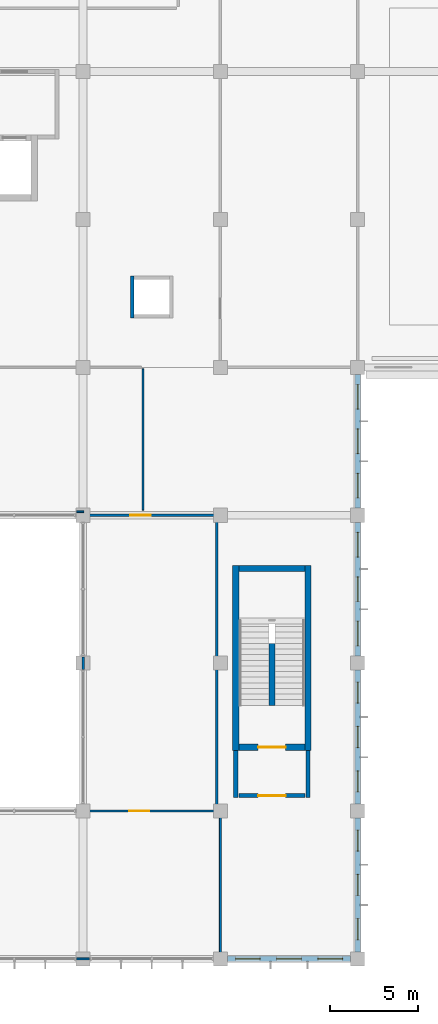
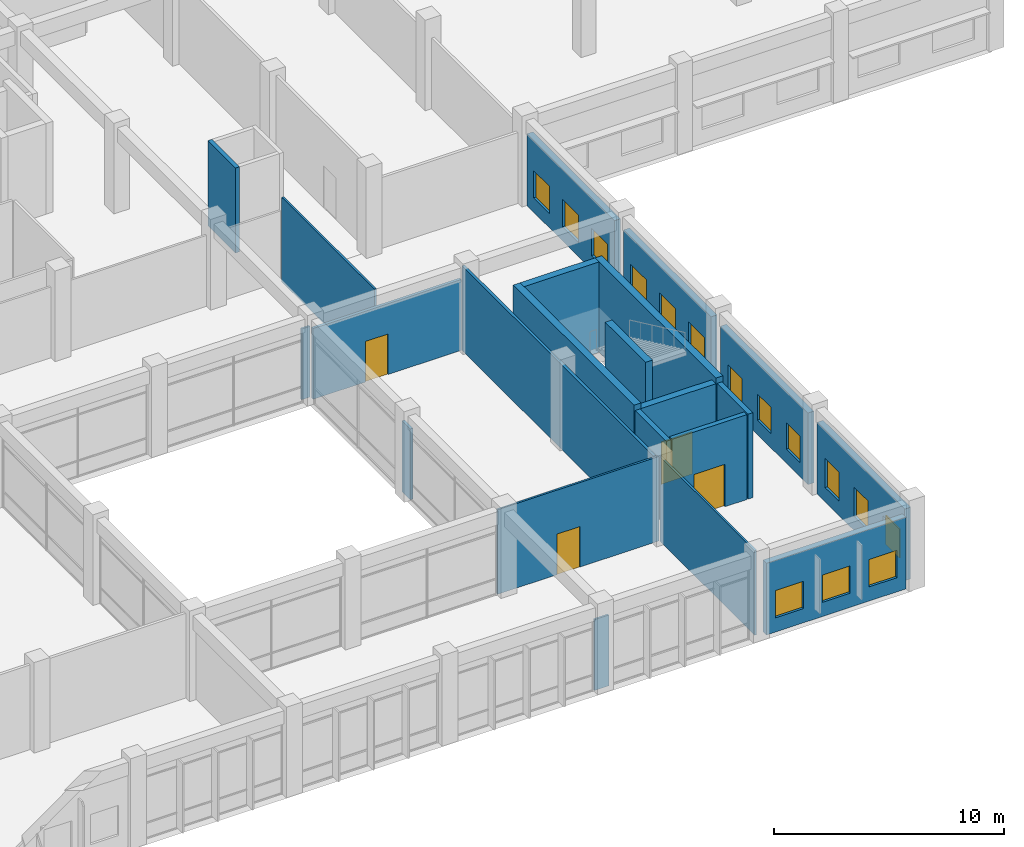
# One storey, part 49 of 62: 22 walls, 15 windows, 4 doors, 19 openings.
"""IFC4 building model written with IfcOpenShell, lengths in metres."""

from ifc_helpers import new_model, si_unit, direction, frame, frame_2d, origin, place, context, subcontext, project, spatial, rectangle, extrude, material, layer, layer_set, type_object, element, fill, save


model = new_model("IFC4")

# Units and contexts
model_context = context("Model", 3, precision=1e-05, world=origin(), true_north=direction((0.0, 1.0)))
body_context = subcontext(model_context, "Body", "Model", "MODEL_VIEW")
ifc_project = project(units=[si_unit("LENGTHUNIT", "METRE"), si_unit("AREAUNIT", "SQUARE_METRE"), si_unit("VOLUMEUNIT", "CUBIC_METRE"), si_unit("PLANEANGLEUNIT", "RADIAN"), si_unit("MASSUNIT", "GRAM", prefix="KILO"), si_unit("THERMODYNAMICTEMPERATUREUNIT", "KELVIN"), si_unit("POWERUNIT", "WATT")], contexts=[model_context])

# Site, building, storey
site_placement = place(None, origin())
site = spatial("IfcSite", under=ifc_project, at=site_placement, CompositionType="ELEMENT")
building_placement = place(site_placement, origin())
building = spatial("IfcBuilding", under=site, at=building_placement, Name="Srebrne Nadtorze General Hospital", CompositionType="ELEMENT")
storey_placement = place(building_placement, frame((0.0, 0.0, 9.60009765625)))
storey = spatial("IfcBuildingStorey", under=building, at=storey_placement, Name="L02", CompositionType="ELEMENT", Elevation=9.60009765625)

# Wall, opening, door
ifc_material_1 = material(Name="Gypsum Healthcare Partition")
ifc_layer_1 = layer(ifc_material_1, 0.139892578125)
ifc_layer_set_1 = layer_set([ifc_layer_1], Name="Gypsum Healthcare Partition")
wall_type_1 = type_object("IfcWallType", Name="Clinical partition 140", PredefinedType="PARTITIONING", material=ifc_layer_set_1)
wall_1_placement = place(storey_placement, frame((132.68505859375, 25.199951171875, 0.0), z_axis=(0.0, 0.0, 1.0), x_axis=(1.0, 0.0, 0.0)))
wall_1 = element("IfcWall", 1, at=wall_1_placement, inside=storey, type_object=wall_type_1, Name="Outpatient Urology Clinic wall WL-INT-L02-1561", PredefinedType="PARTITIONING", context=body_context, shape_type="SweptSolid", body=[
    extrude(rectangle(XDim=7.429931640625, YDim=0.139892578125, at=frame_2d((3.71484375, 0.0))), origin(), (0.0, 0.0, 1.0), 3.75),
])
opening_1_placement = place(wall_1_placement, frame((2.609375, 0.0, 0.0)))
opening_1 = element("IfcOpeningElement", 2, at=opening_1_placement, cuts=wall_1, Name="Opening D-L02-0254", PredefinedType="OPENING", context=body_context, shape_type="SweptSolid", body=[
    extrude(rectangle(XDim=1.14990234375, YDim=2.14990234375, at=frame_2d((0.574951171875, 1.074951171875))), frame((0.0, 0.08203125, 0.0), z_axis=(0.0, -1.0, 0.0), x_axis=(1.0, 0.0, 0.0)), (0.0, 0.0, 1.0), 0.163818359375),
])
ifc_material_2 = material(Name="Anodised Aluminium", Category="aluminium")
door_type_1 = type_object("IfcDoorType", Name="Single leaf door 1150x2150", OperationType="NOTDEFINED", PredefinedType="DOOR", material=ifc_material_2)
door_1_placement = place(opening_1_placement, frame((1.14990234375, 0.0, 0.0), z_axis=(0.0, 0.0, 1.0), x_axis=(-1.0, 0.0, 0.0)))
door_1 = element("IfcDoor", 3, at=door_1_placement, inside=storey, type_object=door_type_1, Name="Outpatient Urology Clinic door D-L02-0254", OperationType="SINGLE_SWING_RIGHT", OverallHeight=2.14990234375, OverallWidth=1.14990234375, PredefinedType="DOOR", context=body_context, shape_type="SweptSolid", body=[
    extrude(rectangle(XDim=1.14990234375, YDim=2.14990234375, at=frame_2d((0.574951171875, 1.074951171875))), frame((0.0, 0.02490234375, 0.0), z_axis=(0.0, -1.0, 0.0), x_axis=(1.0, 0.0, 0.0)), (0.0, 0.0, 1.0), 0.050048828125),
])
fill(opening_1, door_1)

# Walls
wall_2_placement = place(storey_placement, frame((132.60009765625, 16.43994140625, 0.0), z_axis=(0.0, 0.0, 1.0), x_axis=(0.0, 1.0, 0.0)))
element("IfcWall", 4, at=wall_2_placement, inside=storey, type_object=wall_type_1, Name="Outpatient Urology Clinic wall WL-INT-L02-1562", PredefinedType="PARTITIONING", context=body_context, shape_type="SweptSolid", body=[
    extrude(rectangle(XDim=0.719970703125, YDim=0.139892578125, at=frame_2d((0.35986328125, 0.0))), origin(), (0.0, 0.0, 1.0), 3.75),
])
wall_3_placement = place(storey_placement, frame((140.199951171875, 8.485107421875, 0.0), z_axis=(0.0, 0.0, 1.0), x_axis=(0.0, 1.0, 0.0)))
element("IfcWall", 5, at=wall_3_placement, inside=storey, type_object=wall_type_1, Name="Outpatient Urology Clinic wall WL-INT-L02-1563", PredefinedType="PARTITIONING", context=body_context, shape_type="SweptSolid", body=[
    extrude(rectangle(XDim=16.6298828125, YDim=0.139892578125, at=frame_2d((8.31494140625, 0.0))), origin(), (0.0, 0.0, 1.0), 4.47998046875),
])
ifc_material_3 = material(Name="Gypsum Healthcare Partition")
ifc_layer_2 = layer(ifc_material_3, 0.199951171875)
ifc_layer_set_2 = layer_set([ifc_layer_2], Name="Gypsum Healthcare Partition")
wall_type_2 = type_object("IfcWallType", Name="Compartment wall 200", PredefinedType="STANDARD", material=ifc_layer_set_2)
wall_4_placement = place(storey_placement, frame((135.39990234375, 36.39990234375, 0.0), z_axis=(0.0, 0.0, 1.0), x_axis=(0.0, 1.0, 0.0)))
element("IfcWall", 6, at=wall_4_placement, inside=storey, type_object=wall_type_2, Name="MEP riser wall WL-INT-L02-1006", PredefinedType="STANDARD", context=body_context, shape_type="SweptSolid", body=[
    extrude(rectangle(XDim=2.400146484375, YDim=0.199951171875, at=frame_2d((1.2001953125, 0.0))), origin(), (0.0, 0.0, 1.0), 4.5),
])
ifc_material_4 = material(Name="Gypsum Healthcare Partition")
ifc_layer_3 = layer(ifc_material_4, 0.239990234375)
ifc_layer_set_3 = layer_set([ifc_layer_3], Name="Gypsum Healthcare Partition")
wall_type_3 = type_object("IfcWallType", Name="Corridor fire wall 240", PredefinedType="STANDARD", material=ifc_layer_set_3)
for number, where, z_axis, x_axis, name in (
    (7, (141.27490234375, 9.155029296875, 0.0), (0.0, 0.0, 1.0), (0.0, 1.0, 0.0), "Fire lobby wall ST-08 WL-INT-L02-0237"),
    (8, (145.375, 9.155029296875, 0.0), (0.0, 0.0, 1.0), (0.0, 1.0, 0.0), "Fire lobby wall ST-08 WL-INT-L02-0238"),
):
    element("IfcWall", number, at=place(storey_placement, frame(where, z_axis=z_axis, x_axis=x_axis)), inside=storey, type_object=wall_type_3, Name=name, PredefinedType="STANDARD", context=body_context, shape_type="SweptSolid", body=[
        extrude(rectangle(XDim=2.695068359375, YDim=0.239990234375, at=frame_2d((1.34765625, 0.0))), origin(), (0.0, 0.0, 1.0), 4.5),
    ])

# Wall, opening, door
wall_5_placement = place(storey_placement, frame((141.449951171875, 9.27490234375, 0.0), z_axis=(0.0, 0.0, 1.0), x_axis=(1.0, 0.0, 0.0)))
wall_5 = element("IfcWall", 9, at=wall_5_placement, inside=storey, type_object=wall_type_3, Name="Fire lobby entry wall ST-08 WL-INT-L02-0239", PredefinedType="STANDARD", context=body_context, shape_type="SweptSolid", body=[
    extrude(rectangle(XDim=3.75, YDim=0.239990234375, at=frame_2d((1.875, 0.0))), origin(), (0.0, 0.0, 1.0), 4.5),
])
opening_2_placement = place(wall_5_placement, frame((1.10009765625, 0.0, 0.0)))
opening_2 = element("IfcOpeningElement", 10, at=opening_2_placement, cuts=wall_5, Name="Opening D-L02-0060", PredefinedType="OPENING", context=body_context, shape_type="SweptSolid", body=[
    extrude(rectangle(XDim=1.550048828125, YDim=2.25, at=frame_2d((0.77490234375, 1.125))), frame((0.0, 0.1318359375, 0.0), z_axis=(0.0, -1.0, 0.0), x_axis=(1.0, 0.0, 0.0)), (0.0, 0.0, 1.0), 0.263916015625),
])
ifc_material_5 = material(Name="Anodised Aluminium", Category="aluminium")
door_type_2 = type_object("IfcDoorType", Name="Double leaf door 1550x2250", OperationType="DOUBLE_DOOR_SINGLE_SWING", PredefinedType="DOOR", material=ifc_material_5)
door_2_placement = place(opening_2_placement, origin())
door_2 = element("IfcDoor", 11, at=door_2_placement, inside=storey, type_object=door_type_2, Name="Fire lobby door ST-08 D-L02-0060", OperationType="DOUBLE_DOOR_SINGLE_SWING", OverallHeight=2.25, OverallWidth=1.550048828125, PredefinedType="DOOR", context=body_context, shape_type="SweptSolid", body=[
    extrude(rectangle(XDim=1.550048828125, YDim=2.25, at=frame_2d((0.77490234375, 1.125))), frame((0.0, 0.02490234375, 0.0), z_axis=(0.0, -1.0, 0.0), x_axis=(1.0, 0.0, 0.0)), (0.0, 0.0, 1.0), 0.050048828125),
])
fill(opening_2, door_2)

# Wall, openings, windows
ifc_material_6 = material(Name="Concrete C40/50 precast", Category="concrete")
ifc_layer_4 = layer(ifc_material_6, 0.300048828125)
ifc_layer_set_4 = layer_set([ifc_layer_4], Name="Concrete C40/50 precast")
wall_type_4 = type_object("IfcWallType", Name="Limestone precast wall 300", PredefinedType="STANDARD", material=ifc_layer_set_4)
wall_6_placement = place(storey_placement, frame((140.800048828125, 0.0, 0.0), z_axis=(0.0, 0.0, 1.0), x_axis=(1.0, 0.0, 0.0)))
wall_6 = element("IfcWall", 12, at=wall_6_placement, inside=storey, type_object=wall_type_4, Name="Exterior wall WL-ENV-L02-0219", PredefinedType="STANDARD", context=body_context, shape_type="SweptSolid", body=[
    extrude(rectangle(XDim=7.0, YDim=0.300048828125, at=frame_2d((3.5, 0.0))), origin(), (0.0, 0.0, 1.0), 3.7998046875),
])
opening_3_placement = place(wall_6_placement, frame((0.4599609375, 0.0, 0.75)))
opening_3 = element("IfcOpeningElement", 13, at=opening_3_placement, cuts=wall_6, Name="Opening WN-L02-0261", PredefinedType="OPENING", context=body_context, shape_type="SweptSolid", body=[
    extrude(rectangle(XDim=1.39990234375, YDim=1.449951171875, at=frame_2d((0.699951171875, 0.72509765625))), frame((0.0, 0.162109375, 0.0), z_axis=(0.0, -1.0, 0.0), x_axis=(1.0, 0.0, 0.0)), (0.0, 0.0, 1.0), 0.323974609375),
])
opening_4_placement = place(wall_6_placement, frame((2.800048828125, 0.0, 0.75)))
opening_4 = element("IfcOpeningElement", 14, at=opening_4_placement, cuts=wall_6, Name="Opening WN-L02-0262", PredefinedType="OPENING", context=body_context, shape_type="SweptSolid", body=[
    extrude(rectangle(XDim=1.39990234375, YDim=1.449951171875, at=frame_2d((0.699951171875, 0.72509765625))), frame((0.0, 0.162109375, 0.0), z_axis=(0.0, -1.0, 0.0), x_axis=(1.0, 0.0, 0.0)), (0.0, 0.0, 1.0), 0.323974609375),
])
opening_5_placement = place(wall_6_placement, frame((5.139892578125, 0.0, 0.75)))
opening_5 = element("IfcOpeningElement", 15, at=opening_5_placement, cuts=wall_6, Name="Opening WN-L02-0263", PredefinedType="OPENING", context=body_context, shape_type="SweptSolid", body=[
    extrude(rectangle(XDim=1.39990234375, YDim=1.449951171875, at=frame_2d((0.699951171875, 0.72509765625))), frame((0.0, 0.162109375, 0.0), z_axis=(0.0, -1.0, 0.0), x_axis=(1.0, 0.0, 0.0)), (0.0, 0.0, 1.0), 0.323974609375),
])
ifc_material_7 = material(Name="Triple Low-E Glazing", Category="glass")
window_type_1 = type_object("IfcWindowType", Name="Punched clinical window 1400x1450", PartitioningType="SINGLE_PANEL", PredefinedType="WINDOW", material=ifc_material_7)
window_1_placement = place(opening_3_placement, origin())
window_1 = element("IfcWindow", 16, at=window_1_placement, inside=storey, type_object=window_type_1, Name="Clinical window WN-L02-0261", OverallHeight=1.449951171875, OverallWidth=1.39990234375, PartitioningType="SINGLE_PANEL", PredefinedType="WINDOW", context=body_context, shape_type="SweptSolid", body=[
    extrude(rectangle(XDim=1.39990234375, YDim=1.449951171875, at=frame_2d((0.699951171875, 0.72509765625))), frame((0.0, 0.030029296875, 0.0), z_axis=(0.0, -1.0, 0.0), x_axis=(1.0, 0.0, 0.0)), (0.0, 0.0, 1.0), 0.06005859375),
])
fill(opening_3, window_1)
window_2_placement = place(opening_4_placement, origin())
window_2 = element("IfcWindow", 17, at=window_2_placement, inside=storey, type_object=window_type_1, Name="Clinical window WN-L02-0262", OverallHeight=1.449951171875, OverallWidth=1.39990234375, PartitioningType="SINGLE_PANEL", PredefinedType="WINDOW", context=body_context, shape_type="SweptSolid", body=[
    extrude(rectangle(XDim=1.39990234375, YDim=1.449951171875, at=frame_2d((0.699951171875, 0.72509765625))), frame((0.0, 0.030029296875, 0.0), z_axis=(0.0, -1.0, 0.0), x_axis=(1.0, 0.0, 0.0)), (0.0, 0.0, 1.0), 0.06005859375),
])
fill(opening_4, window_2)
window_3_placement = place(opening_5_placement, origin())
window_3 = element("IfcWindow", 18, at=window_3_placement, inside=storey, type_object=window_type_1, Name="Clinical window WN-L02-0263", OverallHeight=1.449951171875, OverallWidth=1.39990234375, PartitioningType="SINGLE_PANEL", PredefinedType="WINDOW", context=body_context, shape_type="SweptSolid", body=[
    extrude(rectangle(XDim=1.39990234375, YDim=1.449951171875, at=frame_2d((0.699951171875, 0.72509765625))), frame((0.0, 0.030029296875, 0.0), z_axis=(0.0, -1.0, 0.0), x_axis=(1.0, 0.0, 0.0)), (0.0, 0.0, 1.0), 0.06005859375),
])
fill(opening_5, window_3)

wall_7_placement = place(storey_placement, frame((148.199951171875, 0.39990234375, 0.0), z_axis=(0.0, 0.0, 1.0), x_axis=(0.0, 1.0, 0.0)))
wall_7 = element("IfcWall", 19, at=wall_7_placement, inside=storey, type_object=wall_type_4, Name="Exterior wall WL-ENV-L02-0269", PredefinedType="STANDARD", context=body_context, shape_type="SweptSolid", body=[
    extrude(rectangle(XDim=7.60009765625, YDim=0.300048828125, at=frame_2d((3.800048828125, 0.0))), origin(), (0.0, 0.0, 1.0), 3.7998046875),
])
opening_6_placement = place(wall_7_placement, frame((0.679931640625, 0.0, 0.75)))
opening_6 = element("IfcOpeningElement", 20, at=opening_6_placement, cuts=wall_7, Name="Opening WN-L02-0356", PredefinedType="OPENING", context=body_context, shape_type="SweptSolid", body=[
    extrude(rectangle(XDim=1.199951171875, YDim=1.550048828125, at=frame_2d((0.60009765625, 0.77490234375))), frame((0.0, 0.162109375, 0.0), z_axis=(0.0, -1.0, 0.0), x_axis=(1.0, 0.0, 0.0)), (0.0, 0.0, 1.0), 0.323974609375),
])
opening_7_placement = place(wall_7_placement, frame((3.199951171875, 0.0, 0.75)))
opening_7 = element("IfcOpeningElement", 21, at=opening_7_placement, cuts=wall_7, Name="Opening WN-L02-0357", PredefinedType="OPENING", context=body_context, shape_type="SweptSolid", body=[
    extrude(rectangle(XDim=1.199951171875, YDim=1.550048828125, at=frame_2d((0.60009765625, 0.77490234375))), frame((0.0, 0.162109375, 0.0), z_axis=(0.0, -1.0, 0.0), x_axis=(1.0, 0.0, 0.0)), (0.0, 0.0, 1.0), 0.323974609375),
])
opening_8_placement = place(wall_7_placement, frame((5.719970703125, 0.0, 0.75)))
opening_8 = element("IfcOpeningElement", 22, at=opening_8_placement, cuts=wall_7, Name="Opening WN-L02-0358", PredefinedType="OPENING", context=body_context, shape_type="SweptSolid", body=[
    extrude(rectangle(XDim=1.199951171875, YDim=1.550048828125, at=frame_2d((0.60009765625, 0.77490234375))), frame((0.0, 0.162109375, 0.0), z_axis=(0.0, -1.0, 0.0), x_axis=(1.0, 0.0, 0.0)), (0.0, 0.0, 1.0), 0.323974609375),
])
ifc_material_8 = material(Name="Triple Low-E Glazing", Category="glass")
window_type_2 = type_object("IfcWindowType", Name="Punched clinical window 1200x1550", PartitioningType="SINGLE_PANEL", PredefinedType="WINDOW", material=ifc_material_8)
window_4_placement = place(opening_6_placement, origin())
window_4 = element("IfcWindow", 23, at=window_4_placement, inside=storey, type_object=window_type_2, Name="Clinical window WN-L02-0356", OverallHeight=1.550048828125, OverallWidth=1.199951171875, PartitioningType="SINGLE_PANEL", PredefinedType="WINDOW", context=body_context, shape_type="SweptSolid", body=[
    extrude(rectangle(XDim=1.199951171875, YDim=1.550048828125, at=frame_2d((0.60009765625, 0.77490234375))), frame((0.0, 0.030029296875, 0.0), z_axis=(0.0, -1.0, 0.0), x_axis=(1.0, 0.0, 0.0)), (0.0, 0.0, 1.0), 0.06005859375),
])
fill(opening_6, window_4)
window_5_placement = place(opening_7_placement, origin())
window_5 = element("IfcWindow", 24, at=window_5_placement, inside=storey, type_object=window_type_2, Name="Clinical window WN-L02-0357", OverallHeight=1.550048828125, OverallWidth=1.199951171875, PartitioningType="SINGLE_PANEL", PredefinedType="WINDOW", context=body_context, shape_type="SweptSolid", body=[
    extrude(rectangle(XDim=1.199951171875, YDim=1.550048828125, at=frame_2d((0.60009765625, 0.77490234375))), frame((0.0, 0.030029296875, 0.0), z_axis=(0.0, -1.0, 0.0), x_axis=(1.0, 0.0, 0.0)), (0.0, 0.0, 1.0), 0.06005859375),
])
fill(opening_7, window_5)
window_6_placement = place(opening_8_placement, origin())
window_6 = element("IfcWindow", 25, at=window_6_placement, inside=storey, type_object=window_type_2, Name="Clinical window WN-L02-0358", OverallHeight=1.550048828125, OverallWidth=1.199951171875, PartitioningType="SINGLE_PANEL", PredefinedType="WINDOW", context=body_context, shape_type="SweptSolid", body=[
    extrude(rectangle(XDim=1.199951171875, YDim=1.550048828125, at=frame_2d((0.60009765625, 0.77490234375))), frame((0.0, 0.030029296875, 0.0), z_axis=(0.0, -1.0, 0.0), x_axis=(1.0, 0.0, 0.0)), (0.0, 0.0, 1.0), 0.06005859375),
])
fill(opening_8, window_6)

wall_8_placement = place(storey_placement, frame((148.199951171875, 8.800048828125, 0.0), z_axis=(0.0, 0.0, 1.0), x_axis=(0.0, 1.0, 0.0)))
wall_8 = element("IfcWall", 26, at=wall_8_placement, inside=storey, type_object=wall_type_4, Name="Exterior wall WL-ENV-L02-0270", PredefinedType="STANDARD", context=body_context, shape_type="SweptSolid", body=[
    extrude(rectangle(XDim=7.599853515625, YDim=0.300048828125, at=frame_2d((3.7998046875, 0.0))), origin(), (0.0, 0.0, 1.0), 3.7998046875),
])
opening_9_placement = place(wall_8_placement, frame((0.679931640625, 0.0, 0.75)))
opening_9 = element("IfcOpeningElement", 27, at=opening_9_placement, cuts=wall_8, Name="Opening WN-L02-0359", PredefinedType="OPENING", context=body_context, shape_type="SweptSolid", body=[
    extrude(rectangle(XDim=1.199951171875, YDim=1.39990234375, at=frame_2d((0.60009765625, 0.699951171875))), frame((0.0, 0.162109375, 0.0), z_axis=(0.0, -1.0, 0.0), x_axis=(1.0, 0.0, 0.0)), (0.0, 0.0, 1.0), 0.323974609375),
])
opening_10_placement = place(wall_8_placement, frame((3.199951171875, 0.0, 0.75)))
opening_10 = element("IfcOpeningElement", 28, at=opening_10_placement, cuts=wall_8, Name="Opening WN-L02-0360", PredefinedType="OPENING", context=body_context, shape_type="SweptSolid", body=[
    extrude(rectangle(XDim=1.199951171875, YDim=1.39990234375, at=frame_2d((0.60009765625, 0.699951171875))), frame((0.0, 0.162109375, 0.0), z_axis=(0.0, -1.0, 0.0), x_axis=(1.0, 0.0, 0.0)), (0.0, 0.0, 1.0), 0.323974609375),
])
opening_11_placement = place(wall_8_placement, frame((5.719970703125, 0.0, 0.75)))
opening_11 = element("IfcOpeningElement", 29, at=opening_11_placement, cuts=wall_8, Name="Opening WN-L02-0361", PredefinedType="OPENING", context=body_context, shape_type="SweptSolid", body=[
    extrude(rectangle(XDim=1.199951171875, YDim=1.39990234375, at=frame_2d((0.60009765625, 0.699951171875))), frame((0.0, 0.162109375, 0.0), z_axis=(0.0, -1.0, 0.0), x_axis=(1.0, 0.0, 0.0)), (0.0, 0.0, 1.0), 0.323974609375),
])
ifc_material_9 = material(Name="Triple Low-E Glazing", Category="glass")
window_type_3 = type_object("IfcWindowType", Name="Punched clinical window 1200x1400", PartitioningType="SINGLE_PANEL", PredefinedType="WINDOW", material=ifc_material_9)
window_7_placement = place(opening_9_placement, origin())
window_7 = element("IfcWindow", 30, at=window_7_placement, inside=storey, type_object=window_type_3, Name="Clinical window WN-L02-0359", OverallHeight=1.39990234375, OverallWidth=1.199951171875, PartitioningType="SINGLE_PANEL", PredefinedType="WINDOW", context=body_context, shape_type="SweptSolid", body=[
    extrude(rectangle(XDim=1.199951171875, YDim=1.39990234375, at=frame_2d((0.60009765625, 0.699951171875))), frame((0.0, 0.030029296875, 0.0), z_axis=(0.0, -1.0, 0.0), x_axis=(1.0, 0.0, 0.0)), (0.0, 0.0, 1.0), 0.06005859375),
])
fill(opening_9, window_7)
window_8_placement = place(opening_10_placement, origin())
window_8 = element("IfcWindow", 31, at=window_8_placement, inside=storey, type_object=window_type_3, Name="Clinical window WN-L02-0360", OverallHeight=1.39990234375, OverallWidth=1.199951171875, PartitioningType="SINGLE_PANEL", PredefinedType="WINDOW", context=body_context, shape_type="SweptSolid", body=[
    extrude(rectangle(XDim=1.199951171875, YDim=1.39990234375, at=frame_2d((0.60009765625, 0.699951171875))), frame((0.0, 0.030029296875, 0.0), z_axis=(0.0, -1.0, 0.0), x_axis=(1.0, 0.0, 0.0)), (0.0, 0.0, 1.0), 0.06005859375),
])
fill(opening_10, window_8)
window_9_placement = place(opening_11_placement, origin())
window_9 = element("IfcWindow", 32, at=window_9_placement, inside=storey, type_object=window_type_3, Name="Clinical window WN-L02-0361", OverallHeight=1.39990234375, OverallWidth=1.199951171875, PartitioningType="SINGLE_PANEL", PredefinedType="WINDOW", context=body_context, shape_type="SweptSolid", body=[
    extrude(rectangle(XDim=1.199951171875, YDim=1.39990234375, at=frame_2d((0.60009765625, 0.699951171875))), frame((0.0, 0.030029296875, 0.0), z_axis=(0.0, -1.0, 0.0), x_axis=(1.0, 0.0, 0.0)), (0.0, 0.0, 1.0), 0.06005859375),
])
fill(opening_11, window_9)

wall_9_placement = place(storey_placement, frame((148.199951171875, 17.199951171875, 0.0), z_axis=(0.0, 0.0, 1.0), x_axis=(0.0, 1.0, 0.0)))
wall_9 = element("IfcWall", 33, at=wall_9_placement, inside=storey, type_object=wall_type_4, Name="Exterior wall WL-ENV-L02-0271", PredefinedType="STANDARD", context=body_context, shape_type="SweptSolid", body=[
    extrude(rectangle(XDim=7.60009765625, YDim=0.300048828125, at=frame_2d((3.800048828125, 0.0))), origin(), (0.0, 0.0, 1.0), 3.7998046875),
])
opening_12_placement = place(wall_9_placement, frame((0.580078125, 0.0, 0.75)))
opening_12 = element("IfcOpeningElement", 34, at=opening_12_placement, cuts=wall_9, Name="Opening WN-L02-0362", PredefinedType="OPENING", context=body_context, shape_type="SweptSolid", body=[
    extrude(rectangle(XDim=1.39990234375, YDim=1.60009765625, at=frame_2d((0.699951171875, 0.800048828125))), frame((0.0, 0.162109375, 0.0), z_axis=(0.0, -1.0, 0.0), x_axis=(1.0, 0.0, 0.0)), (0.0, 0.0, 1.0), 0.323974609375),
])
opening_13_placement = place(wall_9_placement, frame((3.10009765625, 0.0, 0.75)))
opening_13 = element("IfcOpeningElement", 35, at=opening_13_placement, cuts=wall_9, Name="Opening WN-L02-0363", PredefinedType="OPENING", context=body_context, shape_type="SweptSolid", body=[
    extrude(rectangle(XDim=1.39990234375, YDim=1.60009765625, at=frame_2d((0.699951171875, 0.800048828125))), frame((0.0, 0.162109375, 0.0), z_axis=(0.0, -1.0, 0.0), x_axis=(1.0, 0.0, 0.0)), (0.0, 0.0, 1.0), 0.323974609375),
])
opening_14_placement = place(wall_9_placement, frame((5.6201171875, 0.0, 0.75)))
opening_14 = element("IfcOpeningElement", 36, at=opening_14_placement, cuts=wall_9, Name="Opening WN-L02-0364", PredefinedType="OPENING", context=body_context, shape_type="SweptSolid", body=[
    extrude(rectangle(XDim=1.39990234375, YDim=1.60009765625, at=frame_2d((0.699951171875, 0.800048828125))), frame((0.0, 0.162109375, 0.0), z_axis=(0.0, -1.0, 0.0), x_axis=(1.0, 0.0, 0.0)), (0.0, 0.0, 1.0), 0.323974609375),
])
ifc_material_10 = material(Name="Triple Low-E Glazing", Category="glass")
window_type_4 = type_object("IfcWindowType", Name="Punched clinical window 1400x1600", PartitioningType="SINGLE_PANEL", PredefinedType="WINDOW", material=ifc_material_10)
window_10_placement = place(opening_12_placement, origin())
window_10 = element("IfcWindow", 37, at=window_10_placement, inside=storey, type_object=window_type_4, Name="Clinical window WN-L02-0362", OverallHeight=1.60009765625, OverallWidth=1.39990234375, PartitioningType="SINGLE_PANEL", PredefinedType="WINDOW", context=body_context, shape_type="SweptSolid", body=[
    extrude(rectangle(XDim=1.39990234375, YDim=1.60009765625, at=frame_2d((0.699951171875, 0.800048828125))), frame((0.0, 0.030029296875, 0.0), z_axis=(0.0, -1.0, 0.0), x_axis=(1.0, 0.0, 0.0)), (0.0, 0.0, 1.0), 0.06005859375),
])
fill(opening_12, window_10)
window_11_placement = place(opening_13_placement, origin())
window_11 = element("IfcWindow", 38, at=window_11_placement, inside=storey, type_object=window_type_4, Name="Clinical window WN-L02-0363", OverallHeight=1.60009765625, OverallWidth=1.39990234375, PartitioningType="SINGLE_PANEL", PredefinedType="WINDOW", context=body_context, shape_type="SweptSolid", body=[
    extrude(rectangle(XDim=1.39990234375, YDim=1.60009765625, at=frame_2d((0.699951171875, 0.800048828125))), frame((0.0, 0.030029296875, 0.0), z_axis=(0.0, -1.0, 0.0), x_axis=(1.0, 0.0, 0.0)), (0.0, 0.0, 1.0), 0.06005859375),
])
fill(opening_13, window_11)
window_12_placement = place(opening_14_placement, origin())
window_12 = element("IfcWindow", 39, at=window_12_placement, inside=storey, type_object=window_type_4, Name="Clinical window WN-L02-0364", OverallHeight=1.60009765625, OverallWidth=1.39990234375, PartitioningType="SINGLE_PANEL", PredefinedType="WINDOW", context=body_context, shape_type="SweptSolid", body=[
    extrude(rectangle(XDim=1.39990234375, YDim=1.60009765625, at=frame_2d((0.699951171875, 0.800048828125))), frame((0.0, 0.030029296875, 0.0), z_axis=(0.0, -1.0, 0.0), x_axis=(1.0, 0.0, 0.0)), (0.0, 0.0, 1.0), 0.06005859375),
])
fill(opening_14, window_12)

wall_10_placement = place(storey_placement, frame((148.199951171875, 25.60009765625, 0.0), z_axis=(0.0, 0.0, 1.0), x_axis=(0.0, 1.0, 0.0)))
wall_10 = element("IfcWall", 40, at=wall_10_placement, inside=storey, type_object=wall_type_4, Name="Exterior wall WL-ENV-L02-0272", PredefinedType="STANDARD", context=body_context, shape_type="SweptSolid", body=[
    extrude(rectangle(XDim=7.599853515625, YDim=0.300048828125, at=frame_2d((3.7998046875, 0.0))), origin(), (0.0, 0.0, 1.0), 3.7998046875),
])
opening_15_placement = place(wall_10_placement, frame((0.580078125, 0.0, 0.75)))
opening_15 = element("IfcOpeningElement", 41, at=opening_15_placement, cuts=wall_10, Name="Opening WN-L02-0365", PredefinedType="OPENING", context=body_context, shape_type="SweptSolid", body=[
    extrude(rectangle(XDim=1.39990234375, YDim=1.449951171875, at=frame_2d((0.699951171875, 0.72509765625))), frame((0.0, 0.162109375, 0.0), z_axis=(0.0, -1.0, 0.0), x_axis=(1.0, 0.0, 0.0)), (0.0, 0.0, 1.0), 0.323974609375),
])
opening_16_placement = place(wall_10_placement, frame((3.10009765625, 0.0, 0.75)))
opening_16 = element("IfcOpeningElement", 42, at=opening_16_placement, cuts=wall_10, Name="Opening WN-L02-0366", PredefinedType="OPENING", context=body_context, shape_type="SweptSolid", body=[
    extrude(rectangle(XDim=1.39990234375, YDim=1.449951171875, at=frame_2d((0.699951171875, 0.72509765625))), frame((0.0, 0.162109375, 0.0), z_axis=(0.0, -1.0, 0.0), x_axis=(1.0, 0.0, 0.0)), (0.0, 0.0, 1.0), 0.323974609375),
])
opening_17_placement = place(wall_10_placement, frame((5.6201171875, 0.0, 0.75)))
opening_17 = element("IfcOpeningElement", 43, at=opening_17_placement, cuts=wall_10, Name="Opening WN-L02-0367", PredefinedType="OPENING", context=body_context, shape_type="SweptSolid", body=[
    extrude(rectangle(XDim=1.39990234375, YDim=1.449951171875, at=frame_2d((0.699951171875, 0.72509765625))), frame((0.0, 0.162109375, 0.0), z_axis=(0.0, -1.0, 0.0), x_axis=(1.0, 0.0, 0.0)), (0.0, 0.0, 1.0), 0.323974609375),
])
window_13_placement = place(opening_15_placement, origin())
window_13 = element("IfcWindow", 44, at=window_13_placement, inside=storey, type_object=window_type_1, Name="Clinical window WN-L02-0365", OverallHeight=1.449951171875, OverallWidth=1.39990234375, PartitioningType="SINGLE_PANEL", PredefinedType="WINDOW", context=body_context, shape_type="SweptSolid", body=[
    extrude(rectangle(XDim=1.39990234375, YDim=1.449951171875, at=frame_2d((0.699951171875, 0.72509765625))), frame((0.0, 0.030029296875, 0.0), z_axis=(0.0, -1.0, 0.0), x_axis=(1.0, 0.0, 0.0)), (0.0, 0.0, 1.0), 0.06005859375),
])
fill(opening_15, window_13)
window_14_placement = place(opening_16_placement, origin())
window_14 = element("IfcWindow", 45, at=window_14_placement, inside=storey, type_object=window_type_1, Name="Clinical window WN-L02-0366", OverallHeight=1.449951171875, OverallWidth=1.39990234375, PartitioningType="SINGLE_PANEL", PredefinedType="WINDOW", context=body_context, shape_type="SweptSolid", body=[
    extrude(rectangle(XDim=1.39990234375, YDim=1.449951171875, at=frame_2d((0.699951171875, 0.72509765625))), frame((0.0, 0.030029296875, 0.0), z_axis=(0.0, -1.0, 0.0), x_axis=(1.0, 0.0, 0.0)), (0.0, 0.0, 1.0), 0.06005859375),
])
fill(opening_16, window_14)
window_15_placement = place(opening_17_placement, origin())
window_15 = element("IfcWindow", 46, at=window_15_placement, inside=storey, type_object=window_type_1, Name="Clinical window WN-L02-0367", OverallHeight=1.449951171875, OverallWidth=1.39990234375, PartitioningType="SINGLE_PANEL", PredefinedType="WINDOW", context=body_context, shape_type="SweptSolid", body=[
    extrude(rectangle(XDim=1.39990234375, YDim=1.449951171875, at=frame_2d((0.699951171875, 0.72509765625))), frame((0.0, 0.030029296875, 0.0), z_axis=(0.0, -1.0, 0.0), x_axis=(1.0, 0.0, 0.0)), (0.0, 0.0, 1.0), 0.06005859375),
])
fill(opening_17, window_15)

# Wall, opening, door
ifc_material_11 = material(Name="Gypsum Healthcare Partition")
ifc_layer_5 = layer(ifc_material_11, 0.10009765625)
ifc_layer_set_5 = layer_set([ifc_layer_5], Name="Gypsum Healthcare Partition")
wall_type_5 = type_object("IfcWallType", Name="Shaft lining wall 100", PredefinedType="PARTITIONING", material=ifc_layer_set_5)
wall_11_placement = place(storey_placement, frame((132.239990234375, 8.39990234375, 0.0), z_axis=(0.0, 0.0, 1.0), x_axis=(1.0, 0.0, 0.0)))
wall_11 = element("IfcWall", 47, at=wall_11_placement, inside=storey, type_object=wall_type_5, Name="Outpatient Paediatrics Clinic wall WL-INT-L02-1554", PredefinedType="PARTITIONING", context=body_context, shape_type="SweptSolid", body=[
    extrude(rectangle(XDim=8.074951171875, YDim=0.10009765625, at=frame_2d((4.03759765625, 0.0))), origin(), (0.0, 0.0, 1.0), 4.47998046875),
])
opening_18_placement = place(wall_11_placement, frame((2.976318359375, 0.0, 0.0)))
opening_18 = element("IfcOpeningElement", 48, at=opening_18_placement, cuts=wall_11, Name="Opening D-L02-0252", PredefinedType="OPENING", context=body_context, shape_type="SweptSolid", body=[
    extrude(rectangle(XDim=1.14990234375, YDim=2.14990234375, at=frame_2d((0.574951171875, 1.074951171875))), frame((0.0, 0.06201171875, 0.0), z_axis=(0.0, -1.0, 0.0), x_axis=(1.0, 0.0, 0.0)), (0.0, 0.0, 1.0), 0.1240234375),
])
door_3_placement = place(opening_18_placement, frame((1.14990234375, 0.0, 0.0), z_axis=(0.0, 0.0, 1.0), x_axis=(-1.0, 0.0, 0.0)))
door_3 = element("IfcDoor", 49, at=door_3_placement, inside=storey, type_object=door_type_1, Name="Outpatient Paediatrics Clinic door D-L02-0252", OperationType="SINGLE_SWING_RIGHT", OverallHeight=2.14990234375, OverallWidth=1.14990234375, PredefinedType="DOOR", context=body_context, shape_type="SweptSolid", body=[
    extrude(rectangle(XDim=1.14990234375, YDim=2.14990234375, at=frame_2d((0.574951171875, 1.074951171875))), frame((0.0, 0.02490234375, 0.0), z_axis=(0.0, -1.0, 0.0), x_axis=(1.0, 0.0, 0.0)), (0.0, 0.0, 1.0), 0.050048828125),
])
fill(opening_18, door_3)

# Walls
wall_12_placement = place(storey_placement, frame((132.239990234375, 0.0, 0.0), z_axis=(0.0, 0.0, 1.0), x_axis=(1.0, 0.0, 0.0)))
element("IfcWall", 50, at=wall_12_placement, inside=storey, type_object=wall_type_5, Name="Outpatient Paediatrics Clinic wall WL-INT-L02-1556", PredefinedType="PARTITIONING", context=body_context, shape_type="SweptSolid", body=[
    extrude(rectangle(XDim=0.719970703125, YDim=0.10009765625, at=frame_2d((0.35986328125, 0.0))), origin(), (0.0, 0.0, 1.0), 3.75),
])
wall_13_placement = place(storey_placement, frame((140.39990234375, 0.0849609375, 0.0), z_axis=(0.0, 0.0, 1.0), x_axis=(0.0, 1.0, 0.0)))
element("IfcWall", 51, at=wall_13_placement, inside=storey, type_object=wall_type_5, Name="Outpatient Paediatrics Clinic wall WL-INT-L02-1557", PredefinedType="PARTITIONING", context=body_context, shape_type="SweptSolid", body=[
    extrude(rectangle(XDim=8.22998046875, YDim=0.10009765625, at=frame_2d((4.114990234375, 0.0))), origin(), (0.0, 0.0, 1.0), 4.47998046875),
])
wall_14_placement = place(storey_placement, frame((132.239990234375, 25.39990234375, 0.0), z_axis=(0.0, 0.0, 1.0), x_axis=(1.0, 0.0, 0.0)))
element("IfcWall", 52, at=wall_14_placement, inside=storey, type_object=wall_type_5, Name="Outpatient Maternal Fetal Medicine Clinic wall WL-INT-L02-1566", PredefinedType="PARTITIONING", context=body_context, shape_type="SweptSolid", body=[
    extrude(rectangle(XDim=0.405029296875, YDim=0.10009765625, at=frame_2d((0.20263671875, 0.0))), origin(), (0.0, 0.0, 1.0), 3.75),
])
wall_15_placement = place(storey_placement, frame((136.0, 25.485107421875, 0.0), z_axis=(0.0, 0.0, 1.0), x_axis=(0.0, 1.0, 0.0)))
element("IfcWall", 53, at=wall_15_placement, inside=storey, type_object=wall_type_5, Name="Outpatient Maternal Fetal Medicine Clinic wall WL-INT-L02-1568", PredefinedType="PARTITIONING", context=body_context, shape_type="SweptSolid", body=[
    extrude(rectangle(XDim=8.02978515625, YDim=0.10009765625, at=frame_2d((4.014892578125, 0.0))), origin(), (0.0, 0.0, 1.0), 4.47998046875),
])
ifc_material_12 = material(Name="Concrete C40/50", Category="concrete")
ifc_layer_6 = layer(ifc_material_12, 0.35009765625)
ifc_layer_set_6 = layer_set([ifc_layer_6], Name="Concrete C40/50")
wall_type_6 = type_object("IfcWallType", Name="Shear core wall 350", PredefinedType="SHEAR", material=ifc_layer_set_6)
for number, where, z_axis, x_axis, name in (
    (54, (141.27490234375, 11.85009765625, 0.0), (0.0, 0.0, 1.0), (0.0, 1.0, 0.0), "Stair core wall ST-08 WL-INT-L02-0233"),
    (55, (145.375, 11.85009765625, 0.0), (0.0, 0.0, 1.0), (0.0, 1.0, 0.0), "Stair core wall ST-08 WL-INT-L02-0234"),
):
    element("IfcWall", number, at=place(storey_placement, frame(where, z_axis=z_axis, x_axis=x_axis)), inside=storey, type_object=wall_type_6, Name=name, PredefinedType="SHEAR", context=body_context, shape_type="SweptSolid", body=[
        extrude(rectangle(XDim=10.5, YDim=0.35009765625, at=frame_2d((5.25, 0.0))), origin(), (0.0, 0.0, 1.0), 4.7998046875),
    ])
wall_16_placement = place(storey_placement, frame((141.449951171875, 22.175048828125, 0.0), z_axis=(0.0, 0.0, 1.0), x_axis=(1.0, 0.0, 0.0)))
element("IfcWall", 56, at=wall_16_placement, inside=storey, type_object=wall_type_6, Name="Stair core wall ST-08 WL-INT-L02-0235", PredefinedType="SHEAR", context=body_context, shape_type="SweptSolid", body=[
    extrude(rectangle(XDim=3.75, YDim=0.35009765625, at=frame_2d((1.875, 0.0))), origin(), (0.0, 0.0, 1.0), 4.7998046875),
])

# Wall, opening, door
wall_17_placement = place(storey_placement, frame((141.449951171875, 12.02490234375, 0.0), z_axis=(0.0, 0.0, 1.0), x_axis=(1.0, 0.0, 0.0)))
wall_17 = element("IfcWall", 57, at=wall_17_placement, inside=storey, type_object=wall_type_6, Name="Stairwell fire wall ST-08 WL-INT-L02-0236", PredefinedType="SHEAR", context=body_context, shape_type="SweptSolid", body=[
    extrude(rectangle(XDim=3.75, YDim=0.35009765625, at=frame_2d((1.875, 0.0))), origin(), (0.0, 0.0, 1.0), 4.5),
])
opening_19_placement = place(wall_17_placement, frame((1.10009765625, 0.0, 0.0)))
opening_19 = element("IfcOpeningElement", 58, at=opening_19_placement, cuts=wall_17, Name="Opening D-L02-0059", PredefinedType="OPENING", context=body_context, shape_type="SweptSolid", body=[
    extrude(rectangle(XDim=1.550048828125, YDim=2.25, at=frame_2d((0.77490234375, 1.125))), frame((0.0, 0.18701171875, 0.0), z_axis=(0.0, -1.0, 0.0), x_axis=(1.0, 0.0, 0.0)), (0.0, 0.0, 1.0), 0.3740234375),
])
door_4_placement = place(opening_19_placement, origin())
door_4 = element("IfcDoor", 59, at=door_4_placement, inside=storey, type_object=door_type_2, Name="Protected stair door ST-08 D-L02-0059", OperationType="DOUBLE_DOOR_SINGLE_SWING", OverallHeight=2.25, OverallWidth=1.550048828125, PredefinedType="DOOR", context=body_context, shape_type="SweptSolid", body=[
    extrude(rectangle(XDim=1.550048828125, YDim=2.25, at=frame_2d((0.77490234375, 1.125))), frame((0.0, 0.02490234375, 0.0), z_axis=(0.0, -1.0, 0.0), x_axis=(1.0, 0.0, 0.0)), (0.0, 0.0, 1.0), 0.050048828125),
])
fill(opening_19, door_4)

# Wall
wall_18_placement = place(storey_placement, frame((143.324951171875, 14.39990234375, 0.0), z_axis=(0.0, 0.0, 1.0), x_axis=(0.0, 1.0, 0.0)))
element("IfcWall", 60, at=wall_18_placement, inside=storey, type_object=wall_type_6, Name="Stair spine wall ST-08 WL-INT-L02-0240", PredefinedType="SHEAR", context=body_context, shape_type="SweptSolid", body=[
    extrude(rectangle(XDim=3.52001953125, YDim=0.35009765625, at=frame_2d((1.760009765625, 0.0))), origin(), (0.0, 0.0, 1.0), 4.7998046875),
])

save(model, "model.ifc")
